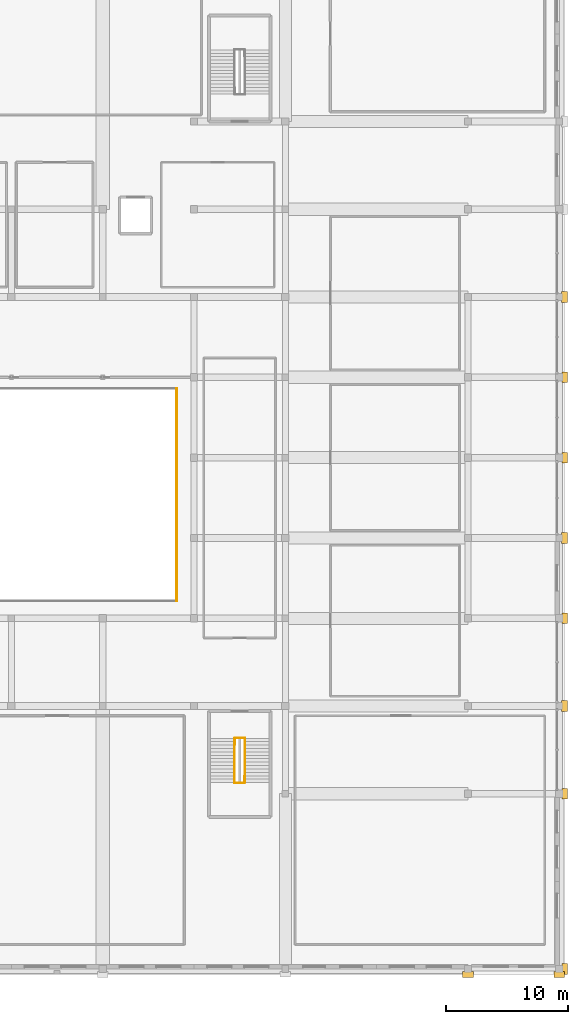
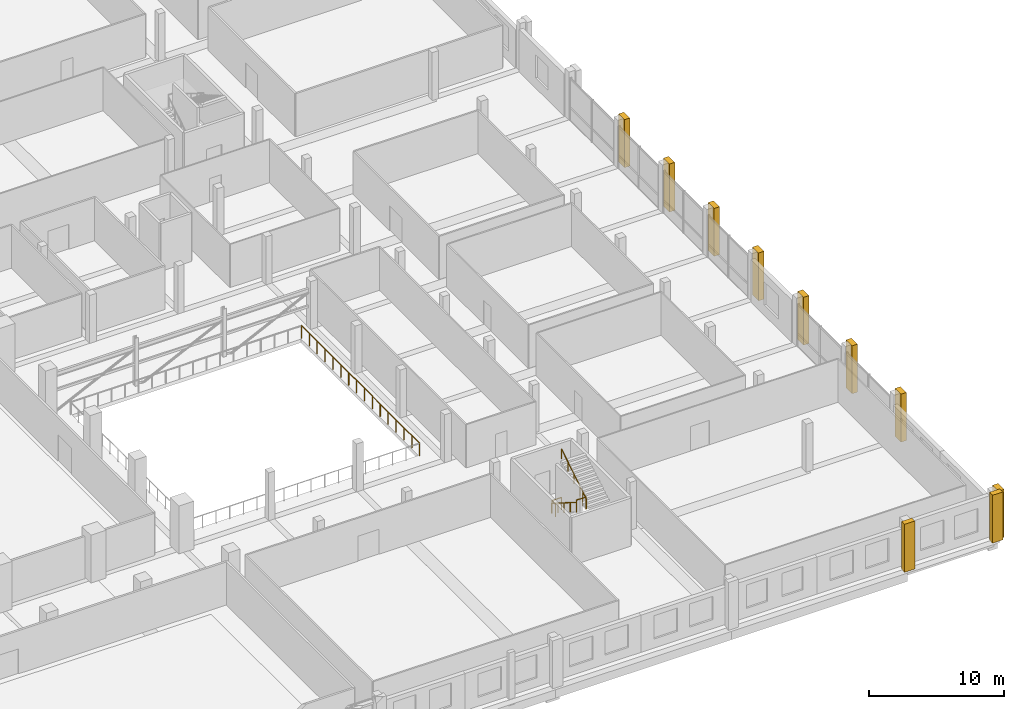
# One storey, part 66 of 68: 10 coverings, 5 railings.
"""IFC4 building model written with IfcOpenShell, lengths in metres."""

from ifc_helpers import new_model, si_unit, direction, frame, origin, origin_2d, place, context, subcontext, project, spatial, rectangle, circle, extrude, material, layer, layer_set, type_object, element, save


model = new_model("IFC4")

# Units and contexts
model_context = context("Model", 3, precision=1e-05, world=origin(), true_north=direction((0.0, 1.0)))
body_context = subcontext(model_context, "Body", "Model", "MODEL_VIEW")
ifc_project = project(units=[si_unit("LENGTHUNIT", "METRE"), si_unit("AREAUNIT", "SQUARE_METRE"), si_unit("VOLUMEUNIT", "CUBIC_METRE"), si_unit("PLANEANGLEUNIT", "RADIAN"), si_unit("MASSUNIT", "GRAM", prefix="KILO")], contexts=[model_context])

# Site, building, storey
site_placement = place(None, origin())
site = spatial("IfcSite", under=ifc_project, at=site_placement, CompositionType="ELEMENT")
building_placement = place(site_placement, origin())
building = spatial("IfcBuilding", under=site, at=building_placement, Name="Akrevak Sports Hall", CompositionType="ELEMENT")
storey_placement = place(building_placement, frame((0.0, 0.0, 9.39990234375)))
storey = spatial("IfcBuildingStorey", under=building, at=storey_placement, Name="L02", CompositionType="ELEMENT", Elevation=9.39990234375)

# Coverings
ifc_material_1 = material(Name="Limestone Ashlar", Category="stone")
ifc_layer_1 = layer(ifc_material_1, 0.47998046875, Name="Limestone Ashlar")
ifc_layer_set_1 = layer_set([ifc_layer_1], Name="Limestone Ashlar")
covering_type = type_object("IfcCoveringType", Name="ARC-COV-PIL-LIM", PredefinedType="CLADDING", material=ifc_layer_set_1)
for number, where, z_axis, x_axis, name in (
    (1, (160.5, -0.449951171875, 0.0), (0.0, 0.0, 1.0), (1.0, 0.0, 0.0), "Giant-Order Limestone Pilaster L02-01-12"),
    (2, (168.0, -0.449951171875, 0.0), (0.0, 0.0, 1.0), (1.0, 0.0, 0.0), "Giant-Order Limestone Pilaster L02-01-13"),
    (3, (168.449951171875, 0.0, 0.0), (0.0, 0.0, 1.0), (0.0, 1.0, 0.0), "Giant-Order Limestone Pilaster L02-02-13"),
    (4, (168.449951171875, 14.39990234375, 0.0), (0.0, 0.0, 1.0), (0.0, 1.0, 0.0), "Giant-Order Limestone Pilaster L02-02-14"),
    (5, (168.425048828125, 21.60009765625, 0.0), (0.0, 0.0, 1.0), (0.0, 1.0, 0.0), "Giant-Order Limestone Pilaster L02-02-15"),
    (6, (168.449951171875, 28.800048828125, 0.0), (0.0, 0.0, 1.0), (0.0, 1.0, 0.0), "Giant-Order Limestone Pilaster L02-02-16"),
    (7, (168.425048828125, 35.39990234375, 0.0), (0.0, 0.0, 1.0), (0.0, 1.0, 0.0), "Giant-Order Limestone Pilaster L02-02-17"),
    (8, (168.449951171875, 42.0, 0.0), (0.0, 0.0, 1.0), (0.0, 1.0, 0.0), "Giant-Order Limestone Pilaster L02-02-18"),
    (9, (168.449951171875, 48.60009765625, 0.0), (0.0, 0.0, 1.0), (0.0, 1.0, 0.0), "Giant-Order Limestone Pilaster L02-02-19"),
    (10, (168.425048828125, 55.199951171875, 0.0), (0.0, 0.0, 1.0), (0.0, 1.0, 0.0), "Giant-Order Limestone Pilaster L02-02-20"),
):
    element("IfcCovering", number, at=place(storey_placement, frame(where, z_axis=z_axis, x_axis=x_axis)), inside=storey, type_object=covering_type, Name=name, PredefinedType="CLADDING", context=body_context, shape_type="SweptSolid", body=[
        extrude(rectangle(XDim=0.8798828125, YDim=0.4599609375, at=origin_2d()), origin(), (0.0, 0.0, 1.0), 4.320068359375),
    ])

# Railings
ifc_material_2 = material(Name="Painted Architectural Balustrade Steel", Category="steel")
ifc_layer_2 = layer(ifc_material_2, 0.06005859375, Name="Painted Architectural Balustrade Steel")
ifc_layer_set_2 = layer_set([ifc_layer_2], Name="Painted Architectural Balustrade Steel")
railing_type_1 = type_object("IfcRailingType", Name="ARC-RL-GRD-1120", PredefinedType="GUARDRAIL", material=ifc_layer_set_2)
railing_1_placement = place(storey_placement, frame((141.360107421875, 18.429931640625, 0.0)))
element("IfcRailing", 11, at=railing_1_placement, inside=storey, type_object=railing_type_1, Name="Stair Floor Landing Well Guard ST7 (L02)", PredefinedType="GUARDRAIL", context=body_context, shape_type="SweptSolid", body=[
    extrude(circle(Radius=0.02392578125, at=origin_2d()), frame((0.0, 0.0, 1.09619140625), z_axis=(0.0, 1.0, 0.0), x_axis=(-1.0, 0.0, 0.0)), (0.0, 0.0, 1.0), 0.550048828125),
    extrude(circle(Radius=0.02392578125, at=origin_2d()), frame((0.0, 0.550048828125, 1.09619140625), z_axis=(1.0, 0.0, 0.0), x_axis=(0.0, 1.0, 0.0)), (0.0, 0.0, 1.0), 0.809814453125),
    extrude(circle(Radius=0.02099609375, at=origin_2d()), origin(), (0.0, 0.0, 1.0), 1.072021484375),
    extrude(circle(Radius=0.02099609375, at=origin_2d()), frame((0.0, 0.550048828125, 0.0)), (0.0, 0.0, 1.0), 1.072021484375),
    extrude(circle(Radius=0.02099609375, at=origin_2d()), frame((0.809814453125, 0.550048828125, 0.0)), (0.0, 0.0, 1.0), 1.072021484375),
])
railing_2_placement = place(storey_placement, frame((141.330078125, 15.280029296875, 2.300048828125)))
element("IfcRailing", 12, at=railing_2_placement, inside=storey, type_object=railing_type_1, Name="Stair Landing Well Guard ST7-L02-1", PredefinedType="GUARDRAIL", context=body_context, shape_type="SweptSolid", body=[
    extrude(circle(Radius=0.02392578125, at=origin_2d()), frame((0.0, 0.0, 1.09619140625), z_axis=(1.0, 0.0, 0.0), x_axis=(0.0, 1.0, 0.0)), (0.0, 0.0, 1.0), 0.809814453125),
    extrude(circle(Radius=0.02392578125, at=origin_2d()), frame((0.809814453125, 0.0, 1.09619140625), z_axis=(0.0, 1.0, 0.0), x_axis=(-1.0, 0.0, 0.0)), (0.0, 0.0, 1.0), 0.52001953125),
    extrude(circle(Radius=0.02099609375, at=origin_2d()), origin(), (0.0, 0.0, 1.0), 1.072021484375),
    extrude(circle(Radius=0.02099609375, at=origin_2d()), frame((0.809814453125, 0.0, 0.0)), (0.0, 0.0, 1.0), 1.072021484375),
    extrude(circle(Radius=0.02099609375, at=origin_2d()), frame((0.809814453125, 0.52001953125, 0.0)), (0.0, 0.0, 1.0), 1.072021484375),
])
ifc_material_3 = material(Name="Anodized Bronze Aluminium & Laminated Glass", Category="aluminium")
ifc_layer_3 = layer(ifc_material_3, 0.080078125, Name="Anodized Bronze Aluminium & Laminated Glass")
ifc_layer_set_3 = layer_set([ifc_layer_3], Name="Anodized Bronze Aluminium & Laminated Glass")
railing_type_2 = type_object("IfcRailingType", Name="ARC-RL-GRD-1150", PredefinedType="GUARDRAIL", material=ifc_layer_set_3)
railing_3_placement = place(storey_placement, frame((136.580078125, 30.219970703125, 0.0)))
element("IfcRailing", 13, at=railing_3_placement, inside=storey, type_object=railing_type_2, Name="Atrium/Arena Gallery Guardrail L02-CLM-E", PredefinedType="GUARDRAIL", context=body_context, shape_type="SweptSolid", body=[
    extrude(circle(Radius=0.02392578125, at=origin_2d()), frame((0.0, 0.0, 1.1259765625), z_axis=(0.0, 1.0, 0.0), x_axis=(-1.0, 0.0, 0.0)), (0.0, 0.0, 1.0), 17.4599609375),
    extrude(circle(Radius=0.02099609375, at=origin_2d()), origin(), (0.0, 0.0, 1.0), 1.101806640625),
    extrude(circle(Radius=0.02099609375, at=origin_2d()), frame((0.0, 1.1640625, 0.0)), (0.0, 0.0, 1.0), 1.101806640625),
    extrude(circle(Radius=0.02099609375, at=origin_2d()), frame((0.0, 2.327880859375, 0.0)), (0.0, 0.0, 1.0), 1.101806640625),
    extrude(circle(Radius=0.02099609375, at=origin_2d()), frame((0.0, 3.491943359375, 0.0)), (0.0, 0.0, 1.0), 1.101806640625),
    extrude(circle(Radius=0.02099609375, at=origin_2d()), frame((0.0, 4.656005859375, 0.0)), (0.0, 0.0, 1.0), 1.101806640625),
    extrude(circle(Radius=0.02099609375, at=origin_2d()), frame((0.0, 5.820068359375, 0.0)), (0.0, 0.0, 1.0), 1.101806640625),
    extrude(circle(Radius=0.02099609375, at=origin_2d()), frame((0.0, 6.98388671875, 0.0)), (0.0, 0.0, 1.0), 1.101806640625),
    extrude(circle(Radius=0.02099609375, at=origin_2d()), frame((0.0, 8.14794921875, 0.0)), (0.0, 0.0, 1.0), 1.101806640625),
    extrude(circle(Radius=0.02099609375, at=origin_2d()), frame((0.0, 9.31201171875, 0.0)), (0.0, 0.0, 1.0), 1.101806640625),
    extrude(circle(Radius=0.02099609375, at=origin_2d()), frame((0.0, 10.47607421875, 0.0)), (0.0, 0.0, 1.0), 1.101806640625),
    extrude(circle(Radius=0.02099609375, at=origin_2d()), frame((0.0, 11.639892578125, 0.0)), (0.0, 0.0, 1.0), 1.101806640625),
    extrude(circle(Radius=0.02099609375, at=origin_2d()), frame((0.0, 12.803955078125, 0.0)), (0.0, 0.0, 1.0), 1.101806640625),
    extrude(circle(Radius=0.02099609375, at=origin_2d()), frame((0.0, 13.968017578125, 0.0)), (0.0, 0.0, 1.0), 1.101806640625),
    extrude(circle(Radius=0.02099609375, at=origin_2d()), frame((0.0, 15.132080078125, 0.0)), (0.0, 0.0, 1.0), 1.101806640625),
    extrude(circle(Radius=0.02099609375, at=origin_2d()), frame((0.0, 16.2958984375, 0.0)), (0.0, 0.0, 1.0), 1.101806640625),
    extrude(circle(Radius=0.02099609375, at=origin_2d()), frame((0.0, 17.4599609375, 0.0)), (0.0, 0.0, 1.0), 1.101806640625),
])
ifc_material_4 = material(Name="Brushed Stainless Steel 304", Category="steel")
ifc_layer_4 = layer(ifc_material_4, 0.050048828125, Name="Brushed Stainless Steel 304")
ifc_layer_set_4 = layer_set([ifc_layer_4], Name="Brushed Stainless Steel 304")
railing_type_3 = type_object("IfcRailingType", Name="ARC-RL-HND-900", PredefinedType="HANDRAIL", material=ifc_layer_set_4)
railing_4_placement = place(storey_placement, frame((141.330078125, 18.949951171875, 0.0)))
element("IfcRailing", 14, at=railing_4_placement, inside=storey, type_object=railing_type_3, Name="Stair Handrail ST7-L02-F1", PredefinedType="HANDRAIL", context=body_context, shape_type="SweptSolid", body=[
    extrude(circle(Radius=0.02392578125, at=origin_2d()), frame((0.0, 0.0, 0.8759765625), z_axis=(0.0, -0.845366270244, 0.534187110602), x_axis=(1.0, 0.0, 0.0)), (0.0, 0.0, 1.0), 4.3056640625),
    extrude(circle(Radius=0.02099609375, at=origin_2d()), origin(), (0.0, 0.0, 1.0), 0.851806640625),
    extrude(circle(Radius=0.02099609375, at=origin_2d()), frame((0.0, -0.909912109375, 0.574951171875)), (0.0, 0.0, 1.0), 0.851806640625),
    extrude(circle(Radius=0.02099609375, at=origin_2d()), frame((0.0, -1.81982421875, 1.14990234375)), (0.0, 0.0, 1.0), 0.851806640625),
    extrude(circle(Radius=0.02099609375, at=origin_2d()), frame((0.0, -2.72998046875, 1.72509765625)), (0.0, 0.0, 1.0), 0.851806640625),
    extrude(circle(Radius=0.02099609375, at=origin_2d()), frame((0.0, -3.639892578125, 2.300048828125)), (0.0, 0.0, 1.0), 0.851806640625),
])
railing_5_placement = place(storey_placement, frame((142.169921875, 15.31005859375, 2.300048828125)))
element("IfcRailing", 15, at=railing_5_placement, inside=storey, type_object=railing_type_3, Name="Stair Handrail ST7-L02-F2", PredefinedType="HANDRAIL", context=body_context, shape_type="SweptSolid", body=[
    extrude(circle(Radius=0.02392578125, at=origin_2d()), frame((0.0, 0.0, 0.8759765625), z_axis=(0.0, 0.845366270244, 0.534187110602), x_axis=(-1.0, 0.0, 0.0)), (0.0, 0.0, 1.0), 4.3056640625),
    extrude(circle(Radius=0.02099609375, at=origin_2d()), origin(), (0.0, 0.0, 1.0), 0.851806640625),
    extrude(circle(Radius=0.02099609375, at=origin_2d()), frame((0.0, 0.909912109375, 0.574951171875)), (0.0, 0.0, 1.0), 0.851806640625),
    extrude(circle(Radius=0.02099609375, at=origin_2d()), frame((0.0, 1.81982421875, 1.14990234375)), (0.0, 0.0, 1.0), 0.851806640625),
    extrude(circle(Radius=0.02099609375, at=origin_2d()), frame((0.0, 2.72998046875, 1.72509765625)), (0.0, 0.0, 1.0), 0.851806640625),
    extrude(circle(Radius=0.02099609375, at=origin_2d()), frame((0.0, 3.639892578125, 2.300048828125)), (0.0, 0.0, 1.0), 0.851806640625),
])

save(model, "model.ifc")
